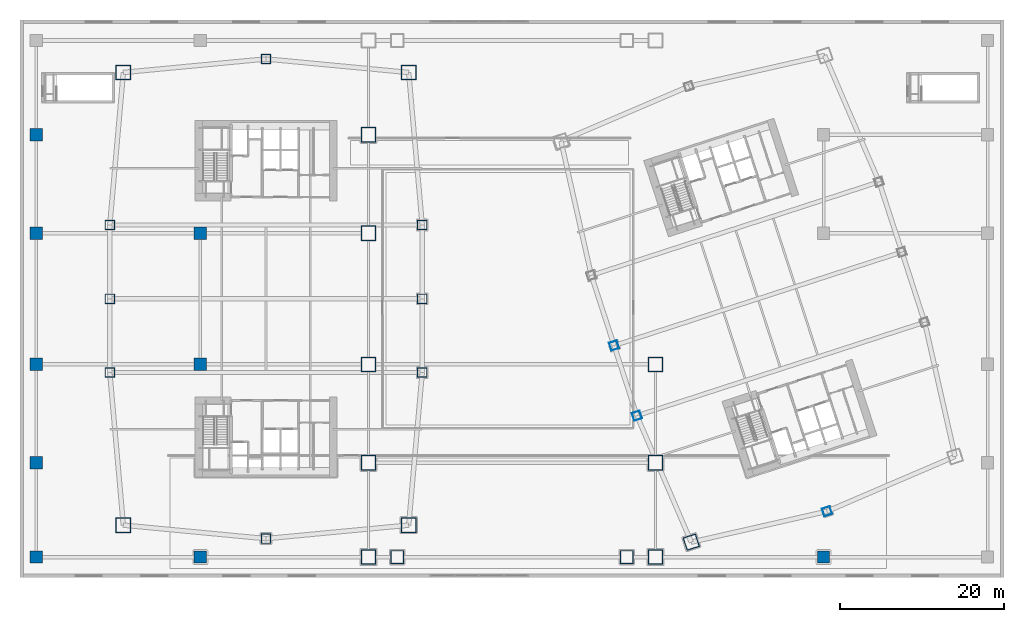
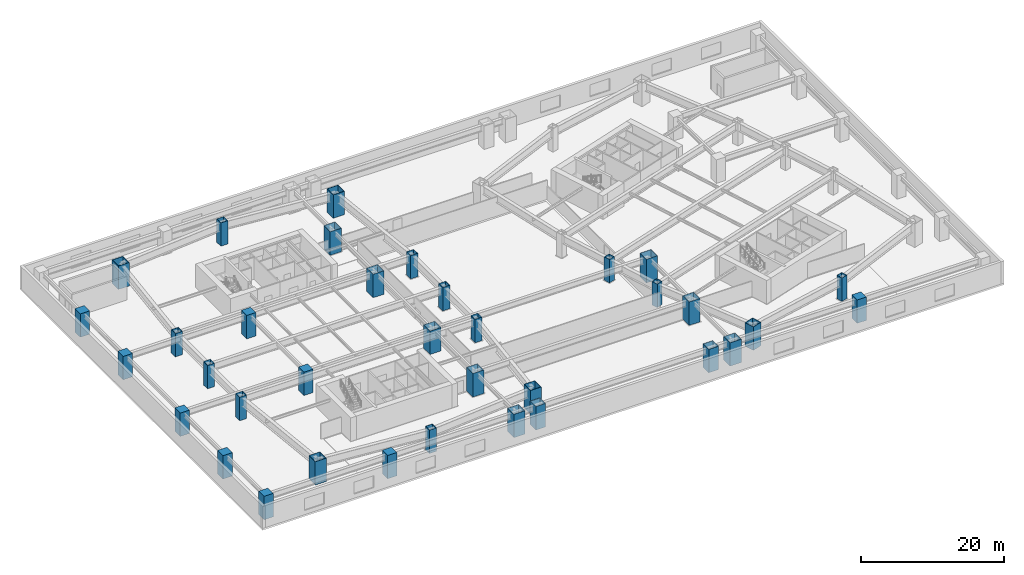
# One storey, part 1 of 25: 35 columns.
"""IFC4 building model written with IfcOpenShell, lengths in metres."""

from ifc_helpers import new_model, si_unit, direction, frame, origin, origin_2d, place, context, subcontext, project, spatial, rectangle, hollow_rectangle, extrude, material, material_profile, profile_set, type_object, element, save


model = new_model("IFC4")

# Units and contexts
model_context = context("Model", 3, precision=1e-05, world=origin(), true_north=direction((0.0, 1.0)))
body_context = subcontext(model_context, "Body", "Model", "MODEL_VIEW")
ifc_project = project(units=[si_unit("LENGTHUNIT", "METRE"), si_unit("AREAUNIT", "SQUARE_METRE"), si_unit("VOLUMEUNIT", "CUBIC_METRE"), si_unit("PLANEANGLEUNIT", "RADIAN"), si_unit("MASSUNIT", "GRAM", prefix="KILO")], contexts=[model_context])

# Site, building, storey
site_placement = place(None, origin())
site = spatial("IfcSite", under=ifc_project, at=site_placement, CompositionType="ELEMENT")
building_placement = place(site_placement, origin())
building = spatial("IfcBuilding", under=site, at=building_placement, Name="Qiaolan Cultural Towers", CompositionType="ELEMENT")
storey_placement = place(building_placement, frame((0.0, 0.0, 22.0)))
storey = spatial("IfcBuildingStorey", under=building, at=storey_placement, Name="L04", CompositionType="ELEMENT", Elevation=22.0)

# Columns
ifc_material_1 = material(Name="Steel Q355B", Category="steel")
ifc_material_profile_1 = material_profile(ifc_material_1, hollow_rectangle(XDim=1.0, YDim=1.0, WallThickness=0.035888671875, at=origin_2d()), Name="BOX1000x1000x36")
ifc_profile_set_1 = profile_set([ifc_material_profile_1], Name="Steel Q355B")
column_type_1 = type_object("IfcColumnType", Name="COL-BOX1000x1000x36", PredefinedType="COLUMN", material=ifc_profile_set_1)
for number, where, z_axis, x_axis, name in (
    (1, (75.234130859375, 19.739013671875, 0.0), (0.0, 0.0, 1.0), (0.951056516295, 0.309016994375, 0.0), "L04 T2 Column PC-W1"),
    (2, (72.453125, 28.298583984375, 0.0), (0.0, 0.0, 1.0), (0.951056516295, 0.309016994375, 0.0), "L04 T2 Column PC-W2"),
    (3, (98.420654296875, 8.083740234375, 0.0), (0.0, 0.0, 1.0), (0.951056516295, 0.309016994375, 0.0), "L04 T2 Column PC-S0"),
):
    element("IfcColumn", number, at=place(storey_placement, frame(where, z_axis=z_axis, x_axis=x_axis)), inside=storey, type_object=column_type_1, Name=name, PredefinedType="COLUMN", context=body_context, shape_type="SweptSolid", body=[
        extrude(hollow_rectangle(XDim=1.0, YDim=1.0, WallThickness=0.035888671875, at=origin_2d()), origin(), (0.0, 0.0, 1.0), 4.0009765625),
    ])
ifc_material_2 = material(Name="Steel Q390GJB", Category="steel")
ifc_material_profile_2 = material_profile(ifc_material_2, hollow_rectangle(XDim=1.14990234375, YDim=1.14990234375, WallThickness=0.0400390625, at=origin_2d()), Name="BOX1150x1150x40")
ifc_profile_set_2 = profile_set([ifc_material_profile_2], Name="Steel Q390GJB")
column_type_2 = type_object("IfcColumnType", Name="COL-BOX1150x1150x40", PredefinedType="COLUMN", material=ifc_profile_set_2)
for number, where, z_axis, x_axis, name in (
    (4, (10.949951171875, 25.0, 0.0), (0.0, 0.0, 1.0), (1.0, 0.0, 0.0), "L04 T1 Column PC-W1"),
    (5, (10.949951171875, 34.0, 0.0), (0.0, 0.0, 1.0), (1.0, 0.0, 0.0), "L04 T1 Column PC-W2"),
    (6, (10.949951171875, 43.0, 0.0), (0.0, 0.0, 1.0), (1.0, 0.0, 0.0), "L04 T1 Column PC-W3"),
    (7, (49.050048828125, 25.0, 0.0), (0.0, 0.0, 1.0), (1.0, 0.0, 0.0), "L04 T1 Column PC-E1"),
    (8, (49.050048828125, 34.0, 0.0), (0.0, 0.0, 1.0), (1.0, 0.0, 0.0), "L04 T1 Column PC-E2"),
    (9, (49.050048828125, 43.0, 0.0), (0.0, 0.0, 1.0), (1.0, 0.0, 0.0), "L04 T1 Column PC-E3"),
    (10, (30.0, 4.75, 0.0), (0.0, 0.0, 1.0), (1.0, 0.0, 0.0), "L04 T1 Column PC-S0"),
    (11, (30.0, 63.25, 0.0), (0.0, 0.0, 1.0), (1.0, 0.0, 0.0), "L04 T1 Column PC-N0"),
):
    element("IfcColumn", number, at=place(storey_placement, frame(where, z_axis=z_axis, x_axis=x_axis)), inside=storey, type_object=column_type_2, Name=name, PredefinedType="COLUMN", context=body_context, shape_type="SweptSolid", body=[
        extrude(hollow_rectangle(XDim=1.14990234375, YDim=1.14990234375, WallThickness=0.0400390625, at=origin_2d()), origin(), (0.0, 0.0, 1.0), 4.0009765625),
    ])
ifc_material_3 = material(Name="Steel Q420GJB", Category="steel")
ifc_material_profile_3 = material_profile(ifc_material_3, hollow_rectangle(XDim=1.60009765625, YDim=1.60009765625, WallThickness=0.054931640625, at=origin_2d()), Name="BOX1600x1600x55")
ifc_profile_set_3 = profile_set([ifc_material_profile_3], Name="Steel Q420GJB")
column_type_3 = type_object("IfcColumnType", Name="COL-BOX1600x1600x55", PredefinedType="COLUMN", material=ifc_profile_set_3)
for number, where, z_axis, x_axis, name in (
    (12, (46.0, 2.5, 0.0), (0.0, 0.0, 1.0), (1.0, 0.0, 0.0), "L04 Podium Column PC-MID-46-2"),
    (13, (74.0, 2.5, 0.0), (0.0, 0.0, 1.0), (1.0, 0.0, 0.0), "L04 Podium Column PC-MID-74-2"),
    (14, (81.862548828125, 4.32275390625, 0.0), (0.0, 0.0, 1.0), (0.951056516295, 0.309016994375, 0.0), "L04 T2 Column MC-SW"),
):
    element("IfcColumn", number, at=place(storey_placement, frame(where, z_axis=z_axis, x_axis=x_axis)), inside=storey, type_object=column_type_3, Name=name, PredefinedType="COLUMN", context=body_context, shape_type="SweptSolid", body=[
        extrude(hollow_rectangle(XDim=1.60009765625, YDim=1.60009765625, WallThickness=0.054931640625, at=origin_2d()), origin(), (0.0, 0.0, 1.0), 4.0009765625),
    ])
ifc_material_4 = material(Name="Steel Q420GJB", Category="steel")
ifc_material_profile_4 = material_profile(ifc_material_4, hollow_rectangle(XDim=1.800048828125, YDim=1.800048828125, WallThickness=0.06005859375, at=origin_2d()), Name="BOX1800x1800x60")
ifc_profile_set_4 = profile_set([ifc_material_profile_4], Name="Steel Q420GJB")
column_type_4 = type_object("IfcColumnType", Name="COL-BOX1800x1800x60", PredefinedType="COLUMN", material=ifc_profile_set_4)
for number, where, z_axis, x_axis, name in (
    (15, (42.5, 2.5, 0.0), (0.0, 0.0, 1.0), (1.0, 0.0, 0.0), "L04 Podium Column PC-42-2"),
    (16, (42.5, 14.0, 0.0), (0.0, 0.0, 1.0), (1.0, 0.0, 0.0), "L04 Podium Column PC-42-14"),
    (17, (42.5, 26.0, 0.0), (0.0, 0.0, 1.0), (1.0, 0.0, 0.0), "L04 Podium Column PC-42-26"),
    (18, (42.5, 42.0, 0.0), (0.0, 0.0, 1.0), (1.0, 0.0, 0.0), "L04 Podium Column PC-42-42"),
    (19, (42.5, 54.0, 0.0), (0.0, 0.0, 1.0), (1.0, 0.0, 0.0), "L04 Podium Column PC-42-54"),
    (20, (77.5, 2.5, 0.0), (0.0, 0.0, 1.0), (1.0, 0.0, 0.0), "L04 Podium Column PC-77-2"),
    (21, (77.5, 14.0, 0.0), (0.0, 0.0, 1.0), (1.0, 0.0, 0.0), "L04 Podium Column PC-77-14"),
    (22, (77.5, 26.0, 0.0), (0.0, 0.0, 1.0), (1.0, 0.0, 0.0), "L04 Podium Column PC-77-26"),
    (23, (12.60009765625, 6.39990234375, 0.0), (0.0, 0.0, 1.0), (1.0, 0.0, 0.0), "L04 T1 Column MC-SW"),
    (24, (47.39990234375, 6.39990234375, 0.0), (0.0, 0.0, 1.0), (1.0, 0.0, 0.0), "L04 T1 Column MC-SE"),
    (25, (47.39990234375, 61.60009765625, 0.0), (0.0, 0.0, 1.0), (1.0, 0.0, 0.0), "L04 T1 Column MC-NE"),
    (26, (12.60009765625, 61.60009765625, 0.0), (0.0, 0.0, 1.0), (1.0, 0.0, 0.0), "L04 T1 Column MC-NW"),
):
    element("IfcColumn", number, at=place(storey_placement, frame(where, z_axis=z_axis, x_axis=x_axis)), inside=storey, type_object=column_type_4, Name=name, PredefinedType="COLUMN", context=body_context, shape_type="SweptSolid", body=[
        extrude(hollow_rectangle(XDim=1.800048828125, YDim=1.800048828125, WallThickness=0.06005859375, at=origin_2d()), origin(), (0.0, 0.0, 1.0), 4.0009765625),
    ])
ifc_material_5 = material(Name="Concrete C60", Category="concrete")
ifc_material_profile_5 = material_profile(ifc_material_5, rectangle(XDim=1.5, YDim=1.5, at=origin_2d()), Name="RC1500x1500")
ifc_profile_set_5 = profile_set([ifc_material_profile_5], Name="Concrete C60")
column_type_5 = type_object("IfcColumnType", Name="COL-RC1500x1500", PredefinedType="COLUMN", material=ifc_profile_set_5)
for number, where, z_axis, x_axis, name in (
    (27, (2.0, 2.5, 0.0), (0.0, 0.0, 1.0), (1.0, 0.0, 0.0), "L04 Podium Column PC-2-2"),
    (28, (2.0, 14.0, 0.0), (0.0, 0.0, 1.0), (1.0, 0.0, 0.0), "L04 Podium Column PC-2-14"),
    (29, (2.0, 26.0, 0.0), (0.0, 0.0, 1.0), (1.0, 0.0, 0.0), "L04 Podium Column PC-2-26"),
    (30, (2.0, 42.0, 0.0), (0.0, 0.0, 1.0), (1.0, 0.0, 0.0), "L04 Podium Column PC-2-42"),
    (31, (2.0, 54.0, 0.0), (0.0, 0.0, 1.0), (1.0, 0.0, 0.0), "L04 Podium Column PC-2-54"),
    (32, (22.0, 2.5, 0.0), (0.0, 0.0, 1.0), (1.0, 0.0, 0.0), "L04 Podium Column PC-22-2"),
    (33, (22.0, 26.0, 0.0), (0.0, 0.0, 1.0), (1.0, 0.0, 0.0), "L04 Podium Column PC-22-26"),
    (34, (22.0, 42.0, 0.0), (0.0, 0.0, 1.0), (1.0, 0.0, 0.0), "L04 Podium Column PC-22-42"),
    (35, (98.0, 2.5, 0.0), (0.0, 0.0, 1.0), (1.0, 0.0, 0.0), "L04 Podium Column PC-98-2"),
):
    element("IfcColumn", number, at=place(storey_placement, frame(where, z_axis=z_axis, x_axis=x_axis)), inside=storey, type_object=column_type_5, Name=name, PredefinedType="COLUMN", context=body_context, shape_type="SweptSolid", body=[
        extrude(rectangle(XDim=1.5, YDim=1.5, at=origin_2d()), origin(), (0.0, 0.0, 1.0), 4.0009765625),
    ])

save(model, "model.ifc")
